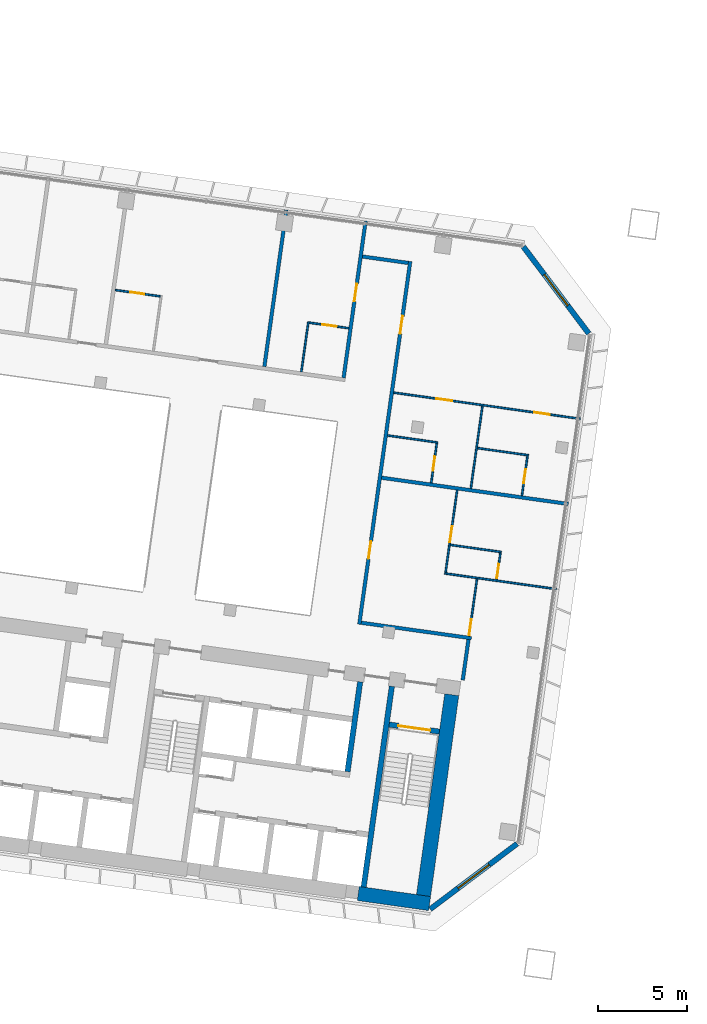
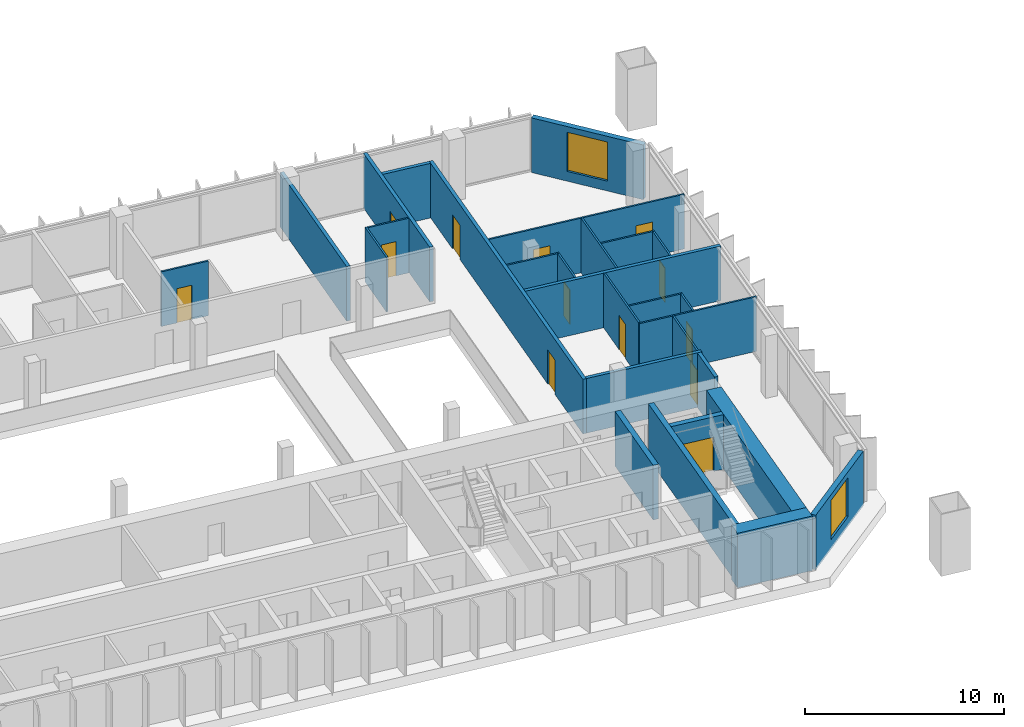
# One storey, part 17 of 26: 28 walls, 13 doors, 2 windows, 15 openings.
"""IFC4 building model written with IfcOpenShell, lengths in metres."""

from ifc_helpers import new_model, si_unit, direction, frame, frame_2d, origin, place, context, subcontext, project, spatial, rectangle, extrude, material, layer, layer_set, type_object, element, fill, save


model = new_model("IFC4")

# Units and contexts
model_context = context("Model", 3, precision=1e-05, world=origin(), true_north=direction((0.0, 1.0)))
body_context = subcontext(model_context, "Body", "Model", "MODEL_VIEW")
ifc_project = project(units=[si_unit("LENGTHUNIT", "METRE"), si_unit("AREAUNIT", "SQUARE_METRE"), si_unit("VOLUMEUNIT", "CUBIC_METRE"), si_unit("PLANEANGLEUNIT", "RADIAN"), si_unit("MASSUNIT", "GRAM", prefix="KILO")], contexts=[model_context])

# Site, building, storey
site_placement = place(None, origin())
site = spatial("IfcSite", under=ifc_project, at=site_placement, CompositionType="ELEMENT")
building_placement = place(site_placement, origin())
building = spatial("IfcBuilding", under=site, at=building_placement, Name="Mirante Cascada Hotel Towers", CompositionType="ELEMENT")
storey_placement = place(building_placement, frame((0.0, 0.0, 113.9)))
storey = spatial("IfcBuildingStorey", under=building, at=storey_placement, Name="L25", CompositionType="ELEMENT", Elevation=113.9)

# Walls
ifc_material_1 = material(Name="Fire-rated plasterboard on metal studs")
ifc_layer_1 = layer(ifc_material_1, 0.2)
ifc_layer_set_1 = layer_set([ifc_layer_1], Name="Compartment wall 200 EI 120")
wall_type_1 = type_object("IfcWallType", Name="Compartment wall 200 EI 120", PredefinedType="PARTITIONING", material=ifc_layer_set_1)
wall_1_placement = place(storey_placement, frame((-34.7809, -4.7615, 0.0), z_axis=(0.0, 0.0, 1.0), x_axis=(-0.9902685, 0.1391698, 0.0)))
element("IfcWall", 1, at=wall_1_placement, inside=storey, type_object=wall_type_1, Name="Wall 1-L25-02", PredefinedType="PARTITIONING", context=body_context, shape_type="SweptSolid", body=[
    extrude(rectangle(XDim=6.2499, YDim=0.2, at=frame_2d((3.125, 0.0))), origin(), (0.0, 0.0, 1.0), 3.35),
])
wall_2_placement = place(storey_placement, frame((-39.8242, 4.2615, 0.0), z_axis=(0.0, 0.0, 1.0), x_axis=(0.9902686, -0.1391691, 0.0)))
element("IfcWall", 2, at=wall_2_placement, inside=storey, type_object=wall_type_1, Name="Wall 1-L25-09", PredefinedType="PARTITIONING", context=body_context, shape_type="SweptSolid", body=[
    extrude(rectangle(XDim=10.6001, YDim=0.2, at=frame_2d((5.3, 0.0))), origin(), (0.0, 0.0, 1.0), 3.35),
])
wall_3_placement = place(storey_placement, frame((-38.329, 16.3376, 0.0), z_axis=(0.0, 0.0, 1.0), x_axis=(-0.9902647, 0.1391971, 0.0)))
element("IfcWall", 3, at=wall_3_placement, inside=storey, type_object=wall_type_1, Name="Wall 1-L25-24", PredefinedType="PARTITIONING", context=body_context, shape_type="SweptSolid", body=[
    extrude(rectangle(XDim=2.5999, YDim=0.2, at=frame_2d((1.3, 0.0))), origin(), (0.0, 0.0, 1.0), 3.35),
])
wall_4_placement = place(storey_placement, frame((-35.2634, -7.1173, 0.0), z_axis=(0.0, 0.0, 1.0), x_axis=(0.1391749, 0.9902678, 0.0)))
element("IfcWall", 4, at=wall_4_placement, inside=storey, type_object=wall_type_1, Name="Wall 1-L25-28", PredefinedType="PARTITIONING", context=body_context, shape_type="SweptSolid", body=[
    extrude(rectangle(XDim=2.3, YDim=0.2, at=frame_2d((1.15, 0.0))), origin(), (0.0, 0.0, 1.0), 3.35),
])

# Wall, openings, doors
wall_5_placement = place(storey_placement, frame((-38.216, 16.4227, 0.0), z_axis=(0.0, 0.0, 1.0), x_axis=(-0.1391749, -0.9902678, 0.0)))
wall_5 = element("IfcWall", 5, at=wall_5_placement, inside=storey, type_object=wall_type_1, Name="Wall 1-L25-33", PredefinedType="PARTITIONING", context=body_context, shape_type="SweptSolid", body=[
    extrude(rectangle(XDim=20.6, YDim=0.2, at=frame_2d((10.3, 0.0))), origin(), (0.0, 0.0, 1.0), 3.35),
])
opening_1_placement = place(wall_5_placement, frame((15.8834, 0.0, 0.0)))
opening_1 = element("IfcOpeningElement", 6, at=opening_1_placement, cuts=wall_5, Name="Opening D1-L25-26", PredefinedType="OPENING", context=body_context, shape_type="SweptSolid", body=[
    extrude(rectangle(XDim=1.0, YDim=2.1, at=frame_2d((0.5, 1.05))), frame((0.0, 0.1, 0.0), z_axis=(0.0, -1.0, 0.0), x_axis=(1.0, 0.0, 0.0)), (0.0, 0.0, 1.0), 0.2),
])
opening_2_placement = place(wall_5_placement, frame((3.1, 0.0, 0.0)))
opening_2 = element("IfcOpeningElement", 7, at=opening_2_placement, cuts=wall_5, Name="Opening D1-L25-27", PredefinedType="OPENING", context=body_context, shape_type="SweptSolid", body=[
    extrude(rectangle(XDim=1.0, YDim=2.1, at=frame_2d((0.5, 1.05))), frame((0.0, 0.1, 0.0), z_axis=(0.0, -1.0, 0.0), x_axis=(1.0, 0.0, 0.0)), (0.0, 0.0, 1.0), 0.2),
])
ifc_material_2 = material(Name="Fire-rated timber door leaf", Category="wood")
door_type_1 = type_object("IfcDoorType", Name="Entrance door DG1 1000x2100 EI 60", OperationType="SINGLE_SWING_LEFT", PredefinedType="DOOR", material=ifc_material_2)
door_1_placement = place(opening_1_placement, origin())
door_1 = element("IfcDoor", 8, at=door_1_placement, inside=storey, type_object=door_type_1, Name="Door D1-L25-26", OperationType="SINGLE_SWING_LEFT", OverallHeight=2.1, OverallWidth=1.0, PredefinedType="DOOR", context=body_context, shape_type="SweptSolid", body=[
    extrude(rectangle(XDim=1.0, YDim=2.1, at=frame_2d((0.5, 1.05))), frame((0.0, 0.025, 0.0), z_axis=(0.0, -1.0, 0.0), x_axis=(1.0, 0.0, 0.0)), (0.0, 0.0, 1.0), 0.05),
])
fill(opening_1, door_1)
door_2_placement = place(opening_2_placement, origin())
door_2 = element("IfcDoor", 9, at=door_2_placement, inside=storey, type_object=door_type_1, Name="Door D1-L25-27", OperationType="SINGLE_SWING_LEFT", OverallHeight=2.1, OverallWidth=1.0, PredefinedType="DOOR", context=body_context, shape_type="SweptSolid", body=[
    extrude(rectangle(XDim=1.0, YDim=2.1, at=frame_2d((0.5, 1.05))), frame((0.0, 0.025, 0.0), z_axis=(0.0, -1.0, 0.0), x_axis=(1.0, 0.0, 0.0)), (0.0, 0.0, 1.0), 0.05),
])
fill(opening_2, door_2)

# Wall, opening, door
wall_6_placement = place(storey_placement, frame((-41.963, 9.8805, 0.0), z_axis=(0.0, 0.0, 1.0), x_axis=(0.1391794, 0.9902672, 0.0)))
wall_6 = element("IfcWall", 10, at=wall_6_placement, inside=storey, type_object=wall_type_1, Name="Wall 1-L25-34", PredefinedType="PARTITIONING", context=body_context, shape_type="SweptSolid", body=[
    extrude(rectangle(XDim=8.9, YDim=0.2, at=frame_2d((4.45, 0.0))), origin(), (0.0, 0.0, 1.0), 3.35),
])
opening_3_placement = place(wall_6_placement, frame((4.35, 0.0, 0.0)))
opening_3 = element("IfcOpeningElement", 11, at=opening_3_placement, cuts=wall_6, Name="Opening D1-L25-28", PredefinedType="OPENING", context=body_context, shape_type="SweptSolid", body=[
    extrude(rectangle(XDim=1.0, YDim=2.1, at=frame_2d((0.5, 1.05))), frame((0.0, 0.1, 0.0), z_axis=(0.0, -1.0, 0.0), x_axis=(1.0, 0.0, 0.0)), (0.0, 0.0, 1.0), 0.2),
])
door_3_placement = place(opening_3_placement, origin())
door_3 = element("IfcDoor", 12, at=door_3_placement, inside=storey, type_object=door_type_1, Name="Door D1-L25-28", OperationType="SINGLE_SWING_LEFT", OverallHeight=2.1, OverallWidth=1.0, PredefinedType="DOOR", context=body_context, shape_type="SweptSolid", body=[
    extrude(rectangle(XDim=1.0, YDim=2.1, at=frame_2d((0.5, 1.05))), frame((0.0, 0.025, 0.0), z_axis=(0.0, -1.0, 0.0), x_axis=(1.0, 0.0, 0.0)), (0.0, 0.0, 1.0), 0.05),
])
fill(opening_3, door_3)

# Walls
wall_7_placement = place(storey_placement, frame((-46.4192, 10.5068, 0.0), z_axis=(0.0, 0.0, 1.0), x_axis=(0.1391794, 0.9902672, 0.0)))
element("IfcWall", 13, at=wall_7_placement, inside=storey, type_object=wall_type_1, Name="Wall 1-L25-36", PredefinedType="PARTITIONING", context=body_context, shape_type="SweptSolid", body=[
    extrude(rectangle(XDim=8.9, YDim=0.2, at=frame_2d((4.45, 0.0))), origin(), (0.0, 0.0, 1.0), 3.35),
])
ifc_material_3 = material(Name="Plasterboard on metal studs")
ifc_layer_2 = layer(ifc_material_3, 0.1)
ifc_layer_set_2 = layer_set([ifc_layer_2], Name="Partition 100")
wall_type_2 = type_object("IfcWallType", Name="Partition 100", PredefinedType="PARTITIONING", material=ifc_layer_set_2)
wall_8_placement = place(storey_placement, frame((-36.2882, -1.1163, 0.0), z_axis=(0.0, 0.0, 1.0), x_axis=(0.9902691, -0.1391656, 0.0)))
element("IfcWall", 14, at=wall_8_placement, inside=storey, type_object=wall_type_2, Name="Wall 1-L25-05", PredefinedType="PARTITIONING", context=body_context, shape_type="SweptSolid", body=[
    extrude(rectangle(XDim=6.35, YDim=0.1, at=frame_2d((3.175, 0.0))), origin(), (0.0, 0.0, 1.0), 3.35),
])
for number, where, z_axis, x_axis, name in (
    (15, (-35.9619, 0.4872, 0.0), (0.0, 0.0, 1.0), (0.9902683, -0.1391714, 0.0), "Wall 1-L25-07"),
    (16, (-34.4398, 5.9284, 0.0), (0.0, 0.0, 1.0), (0.9902683, -0.1391714, 0.0), "Wall 1-L25-11"),
):
    element("IfcWall", number, at=place(storey_placement, frame(where, z_axis=z_axis, x_axis=x_axis)), inside=storey, type_object=wall_type_2, Name=name, PredefinedType="PARTITIONING", context=body_context, shape_type="SweptSolid", body=[
        extrude(rectangle(XDim=2.9, YDim=0.1, at=frame_2d((1.45, 0.0))), origin(), (0.0, 0.0, 1.0), 3.35),
    ])
wall_9_placement = place(storey_placement, frame((-36.6679, 6.2415, 0.0), z_axis=(0.0, 0.0, 1.0), x_axis=(-0.9902704, 0.1391564, 0.0)))
element("IfcWall", 17, at=wall_9_placement, inside=storey, type_object=wall_type_2, Name="Wall 1-L25-12", PredefinedType="PARTITIONING", context=body_context, shape_type="SweptSolid", body=[
    extrude(rectangle(XDim=2.85, YDim=0.1, at=frame_2d((1.425, 0.0))), origin(), (0.0, 0.0, 1.0), 3.35),
])

# Wall, openings, doors
wall_10_placement = place(storey_placement, frame((-39.1515, 9.0479, 0.0), z_axis=(0.0, 0.0, 1.0), x_axis=(0.9902671, -0.1391797, 0.0)))
wall_10 = element("IfcWall", 18, at=wall_10_placement, inside=storey, type_object=wall_type_2, Name="Wall 1-L25-15", PredefinedType="PARTITIONING", context=body_context, shape_type="SweptSolid", body=[
    extrude(rectangle(XDim=10.6, YDim=0.1, at=frame_2d((5.3, 0.0))), origin(), (0.0, 0.0, 1.0), 3.35),
])
opening_4_placement = place(wall_10_placement, frame((7.975, 0.0, 0.0)))
opening_4 = element("IfcOpeningElement", 19, at=opening_4_placement, cuts=wall_10, Name="Opening D1-L25-03", PredefinedType="OPENING", context=body_context, shape_type="SweptSolid", body=[
    extrude(rectangle(XDim=0.9, YDim=2.1, at=frame_2d((0.45, 1.05))), frame((0.0, 0.05, 0.0), z_axis=(0.0, -1.0, 0.0), x_axis=(1.0, 0.0, 0.0)), (0.0, 0.0, 1.0), 0.1),
])
opening_5_placement = place(wall_10_placement, frame((2.425, 0.0, 0.0)))
opening_5 = element("IfcOpeningElement", 20, at=opening_5_placement, cuts=wall_10, Name="Opening D1-L25-04", PredefinedType="OPENING", context=body_context, shape_type="SweptSolid", body=[
    extrude(rectangle(XDim=0.9, YDim=2.1, at=frame_2d((0.45, 1.05))), frame((0.0, 0.05, 0.0), z_axis=(0.0, -1.0, 0.0), x_axis=(1.0, 0.0, 0.0)), (0.0, 0.0, 1.0), 0.1),
])
ifc_material_4 = material(Name="Timber door leaf", Category="wood")
door_type_2 = type_object("IfcDoorType", Name="Room door DG3 900x2100", OperationType="SINGLE_SWING_LEFT", PredefinedType="DOOR", material=ifc_material_4)
door_4_placement = place(opening_4_placement, origin())
door_4 = element("IfcDoor", 21, at=door_4_placement, inside=storey, type_object=door_type_2, Name="Door D1-L25-03", OperationType="SINGLE_SWING_LEFT", OverallHeight=2.1, OverallWidth=0.9, PredefinedType="DOOR", context=body_context, shape_type="SweptSolid", body=[
    extrude(rectangle(XDim=0.9, YDim=2.1, at=frame_2d((0.45, 1.05))), frame((0.0, 0.025, 0.0), z_axis=(0.0, -1.0, 0.0), x_axis=(1.0, 0.0, 0.0)), (0.0, 0.0, 1.0), 0.05),
])
fill(opening_4, door_4)
door_5_placement = place(opening_5_placement, origin())
door_5 = element("IfcDoor", 22, at=door_5_placement, inside=storey, type_object=door_type_2, Name="Door D1-L25-04", OperationType="SINGLE_SWING_LEFT", OverallHeight=2.1, OverallWidth=0.9, PredefinedType="DOOR", context=body_context, shape_type="SweptSolid", body=[
    extrude(rectangle(XDim=0.9, YDim=2.1, at=frame_2d((0.45, 1.05))), frame((0.0, 0.025, 0.0), z_axis=(0.0, -1.0, 0.0), x_axis=(1.0, 0.0, 0.0)), (0.0, 0.0, 1.0), 0.05),
])
fill(opening_5, door_5)

# Wall, opening, door
wall_11_placement = place(storey_placement, frame((-41.6723, 12.6672, 0.0), z_axis=(0.0, 0.0, 1.0), x_axis=(-0.9902643, 0.1391997, 0.0)))
wall_11 = element("IfcWall", 23, at=wall_11_placement, inside=storey, type_object=wall_type_2, Name="Wall 1-L25-18", PredefinedType="PARTITIONING", context=body_context, shape_type="SweptSolid", body=[
    extrude(rectangle(XDim=2.25, YDim=0.1, at=frame_2d((1.125, 0.0))), origin(), (0.0, 0.0, 1.0), 3.35),
])
opening_6_placement = place(wall_11_placement, frame((0.7, 0.0, 0.0)))
opening_6 = element("IfcOpeningElement", 24, at=opening_6_placement, cuts=wall_11, Name="Opening D1-L25-13", PredefinedType="OPENING", context=body_context, shape_type="SweptSolid", body=[
    extrude(rectangle(XDim=0.8, YDim=2.1, at=frame_2d((0.4, 1.05))), frame((0.0, 0.05, 0.0), z_axis=(0.0, -1.0, 0.0), x_axis=(1.0, 0.0, 0.0)), (0.0, 0.0, 1.0), 0.1),
])
ifc_material_5 = material(Name="Timber door leaf", Category="wood")
door_type_3 = type_object("IfcDoorType", Name="Bathroom door DG4 800x2100", OperationType="SINGLE_SWING_LEFT", PredefinedType="DOOR", material=ifc_material_5)
door_6_placement = place(opening_6_placement, frame((0.8, 0.0, 0.0), z_axis=(0.0, 0.0, 1.0), x_axis=(-1.0, 0.0, 0.0)))
door_6 = element("IfcDoor", 25, at=door_6_placement, inside=storey, type_object=door_type_3, Name="Door D1-L25-13", OperationType="SINGLE_SWING_RIGHT", OverallHeight=2.1, OverallWidth=0.8, PredefinedType="DOOR", context=body_context, shape_type="SweptSolid", body=[
    extrude(rectangle(XDim=0.8, YDim=2.1, at=frame_2d((0.4, 1.05))), frame((0.0, 0.025, 0.0), z_axis=(0.0, -1.0, 0.0), x_axis=(1.0, 0.0, 0.0)), (0.0, 0.0, 1.0), 0.05),
])
fill(opening_6, door_6)

wall_12_placement = place(storey_placement, frame((-52.2759, 14.4604, 0.0), z_axis=(0.0, 0.0, 1.0), x_axis=(-0.9902677, 0.1391755, 0.0)))
wall_12 = element("IfcWall", 26, at=wall_12_placement, inside=storey, type_object=wall_type_2, Name="Wall 1-L25-22", PredefinedType="PARTITIONING", context=body_context, shape_type="SweptSolid", body=[
    extrude(rectangle(XDim=2.55, YDim=0.1, at=frame_2d((1.275, 0.0))), origin(), (0.0, 0.0, 1.0), 3.35),
])
opening_7_placement = place(wall_12_placement, frame((0.9, 0.0, 0.0)))
opening_7 = element("IfcOpeningElement", 27, at=opening_7_placement, cuts=wall_12, Name="Opening D1-L25-19", PredefinedType="OPENING", context=body_context, shape_type="SweptSolid", body=[
    extrude(rectangle(XDim=0.8, YDim=2.1, at=frame_2d((0.4, 1.05))), frame((0.0, 0.05, 0.0), z_axis=(0.0, -1.0, 0.0), x_axis=(1.0, 0.0, 0.0)), (0.0, 0.0, 1.0), 0.1),
])
door_7_placement = place(opening_7_placement, frame((0.8, 0.0, 0.0), z_axis=(0.0, 0.0, 1.0), x_axis=(-1.0, 0.0, 0.0)))
door_7 = element("IfcDoor", 28, at=door_7_placement, inside=storey, type_object=door_type_3, Name="Door D1-L25-19", OperationType="SINGLE_SWING_RIGHT", OverallHeight=2.1, OverallWidth=0.8, PredefinedType="DOOR", context=body_context, shape_type="SweptSolid", body=[
    extrude(rectangle(XDim=0.8, YDim=2.1, at=frame_2d((0.4, 1.05))), frame((0.0, 0.025, 0.0), z_axis=(0.0, -1.0, 0.0), x_axis=(1.0, 0.0, 0.0)), (0.0, 0.0, 1.0), 0.05),
])
fill(opening_7, door_7)

wall_13_placement = place(storey_placement, frame((-31.9376, 3.2541, 0.0), z_axis=(0.0, 0.0, 1.0), x_axis=(0.1391561, 0.9902705, 0.0)))
wall_13 = element("IfcWall", 29, at=wall_13_placement, inside=storey, type_object=wall_type_2, Name="Wall 1-L25-26", PredefinedType="PARTITIONING", context=body_context, shape_type="SweptSolid", body=[
    extrude(rectangle(XDim=2.25, YDim=0.1, at=frame_2d((1.125, 0.0))), origin(), (0.0, 0.0, 1.0), 3.35),
])
opening_8_placement = place(wall_13_placement, frame((0.7, 0.0, 0.0)))
opening_8 = element("IfcOpeningElement", 30, at=opening_8_placement, cuts=wall_13, Name="Opening D1-L25-21", PredefinedType="OPENING", context=body_context, shape_type="SweptSolid", body=[
    extrude(rectangle(XDim=0.8, YDim=2.1, at=frame_2d((0.4, 1.05))), frame((0.0, 0.05, 0.0), z_axis=(0.0, -1.0, 0.0), x_axis=(1.0, 0.0, 0.0)), (0.0, 0.0, 1.0), 0.1),
])
door_8_placement = place(opening_8_placement, origin())
door_8 = element("IfcDoor", 31, at=door_8_placement, inside=storey, type_object=door_type_3, Name="Door D1-L25-21", OperationType="SINGLE_SWING_LEFT", OverallHeight=2.1, OverallWidth=0.8, PredefinedType="DOOR", context=body_context, shape_type="SweptSolid", body=[
    extrude(rectangle(XDim=0.8, YDim=2.1, at=frame_2d((0.4, 1.05))), frame((0.0, 0.025, 0.0), z_axis=(0.0, -1.0, 0.0), x_axis=(1.0, 0.0, 0.0)), (0.0, 0.0, 1.0), 0.05),
])
fill(opening_8, door_8)

wall_14_placement = place(storey_placement, frame((-33.1466, 0.0411, 0.0), z_axis=(0.0, 0.0, 1.0), x_axis=(-0.1391749, -0.9902678, 0.0)))
wall_14 = element("IfcWall", 32, at=wall_14_placement, inside=storey, type_object=wall_type_2, Name="Wall 1-L25-27", PredefinedType="PARTITIONING", context=body_context, shape_type="SweptSolid", body=[
    extrude(rectangle(XDim=1.5333, YDim=0.1, at=frame_2d((0.7667, 0.0))), origin(), (0.0, 0.0, 1.0), 3.35),
])
opening_9_placement = place(wall_14_placement, frame((0.6333, 0.0, 0.0)))
opening_9 = element("IfcOpeningElement", 33, at=opening_9_placement, cuts=wall_14, Name="Opening D1-L25-22", PredefinedType="OPENING", context=body_context, shape_type="SweptSolid", body=[
    extrude(rectangle(XDim=0.8, YDim=2.1, at=frame_2d((0.4, 1.05))), frame((0.0, 0.05, 0.0), z_axis=(0.0, -1.0, 0.0), x_axis=(1.0, 0.0, 0.0)), (0.0, 0.0, 1.0), 0.1),
])
door_9_placement = place(opening_9_placement, origin())
door_9 = element("IfcDoor", 34, at=door_9_placement, inside=storey, type_object=door_type_3, Name="Door D1-L25-22", OperationType="SINGLE_SWING_LEFT", OverallHeight=2.1, OverallWidth=0.8, PredefinedType="DOOR", context=body_context, shape_type="SweptSolid", body=[
    extrude(rectangle(XDim=0.8, YDim=2.1, at=frame_2d((0.4, 1.05))), frame((0.0, 0.025, 0.0), z_axis=(0.0, -1.0, 0.0), x_axis=(1.0, 0.0, 0.0)), (0.0, 0.0, 1.0), 0.05),
])
fill(opening_9, door_9)

wall_15_placement = place(storey_placement, frame((-34.4632, -1.4232, 0.0), z_axis=(0.0, 0.0, 1.0), x_axis=(-0.1391681, -0.9902688, 0.0)))
wall_15 = element("IfcWall", 35, at=wall_15_placement, inside=storey, type_object=wall_type_2, Name="Wall 1-L25-29", PredefinedType="PARTITIONING", context=body_context, shape_type="SweptSolid", body=[
    extrude(rectangle(XDim=3.25, YDim=0.1, at=frame_2d((1.625, 0.0))), origin(), (0.0, 0.0, 1.0), 3.35),
])
opening_10_placement = place(wall_15_placement, frame((2.3, 0.0, 0.0)))
opening_10 = element("IfcOpeningElement", 36, at=opening_10_placement, cuts=wall_15, Name="Opening D1-L25-23", PredefinedType="OPENING", context=body_context, shape_type="SweptSolid", body=[
    extrude(rectangle(XDim=0.9, YDim=2.1, at=frame_2d((0.45, 1.05))), frame((0.0, 0.05, 0.0), z_axis=(0.0, -1.0, 0.0), x_axis=(1.0, 0.0, 0.0)), (0.0, 0.0, 1.0), 0.1),
])
door_10_placement = place(opening_10_placement, origin())
door_10 = element("IfcDoor", 37, at=door_10_placement, inside=storey, type_object=door_type_2, Name="Door D1-L25-23", OperationType="SINGLE_SWING_LEFT", OverallHeight=2.1, OverallWidth=0.9, PredefinedType="DOOR", context=body_context, shape_type="SweptSolid", body=[
    extrude(rectangle(XDim=0.9, YDim=2.1, at=frame_2d((0.45, 1.05))), frame((0.0, 0.025, 0.0), z_axis=(0.0, -1.0, 0.0), x_axis=(1.0, 0.0, 0.0)), (0.0, 0.0, 1.0), 0.05),
])
fill(opening_10, door_10)

# Wall
wall_16_placement = place(storey_placement, frame((-34.8094, 3.6577, 0.0), z_axis=(0.0, 0.0, 1.0), x_axis=(0.139173, 0.9902681, 0.0)))
element("IfcWall", 38, at=wall_16_placement, inside=storey, type_object=wall_type_2, Name="Wall 1-L25-30", PredefinedType="PARTITIONING", context=body_context, shape_type="SweptSolid", body=[
    extrude(rectangle(XDim=4.6834, YDim=0.1, at=frame_2d((2.3417, 0.0))), origin(), (0.0, 0.0, 1.0), 3.35),
])

# Wall, opening, door
wall_17_placement = place(storey_placement, frame((-35.5799, 3.564, 0.0), z_axis=(0.0, 0.0, 1.0), x_axis=(-0.139176, -0.9902677, 0.0)))
wall_17 = element("IfcWall", 39, at=wall_17_placement, inside=storey, type_object=wall_type_2, Name="Wall 1-L25-31", PredefinedType="PARTITIONING", context=body_context, shape_type="SweptSolid", body=[
    extrude(rectangle(XDim=4.6833, YDim=0.1, at=frame_2d((2.3416, 0.0))), origin(), (0.0, 0.0, 1.0), 3.35),
])
opening_11_placement = place(wall_17_placement, frame((2.05, 0.0, 0.0)))
opening_11 = element("IfcOpeningElement", 40, at=opening_11_placement, cuts=wall_17, Name="Opening D1-L25-24", PredefinedType="OPENING", context=body_context, shape_type="SweptSolid", body=[
    extrude(rectangle(XDim=0.9, YDim=2.1, at=frame_2d((0.45, 1.05))), frame((0.0, 0.05, 0.0), z_axis=(0.0, -1.0, 0.0), x_axis=(1.0, 0.0, 0.0)), (0.0, 0.0, 1.0), 0.1),
])
door_11_placement = place(opening_11_placement, frame((0.9, 0.0, 0.0), z_axis=(0.0, 0.0, 1.0), x_axis=(-1.0, 0.0, 0.0)))
door_11 = element("IfcDoor", 41, at=door_11_placement, inside=storey, type_object=door_type_2, Name="Door D1-L25-24", OperationType="SINGLE_SWING_RIGHT", OverallHeight=2.1, OverallWidth=0.9, PredefinedType="DOOR", context=body_context, shape_type="SweptSolid", body=[
    extrude(rectangle(XDim=0.9, YDim=2.1, at=frame_2d((0.45, 1.05))), frame((0.0, 0.025, 0.0), z_axis=(0.0, -1.0, 0.0), x_axis=(1.0, 0.0, 0.0)), (0.0, 0.0, 1.0), 0.05),
])
fill(opening_11, door_11)

wall_18_placement = place(storey_placement, frame((-37.0375, 3.9708, 0.0), z_axis=(0.0, 0.0, 1.0), x_axis=(0.1391561, 0.9902705, 0.0)))
wall_18 = element("IfcWall", 42, at=wall_18_placement, inside=storey, type_object=wall_type_2, Name="Wall 1-L25-32", PredefinedType="PARTITIONING", context=body_context, shape_type="SweptSolid", body=[
    extrude(rectangle(XDim=2.25, YDim=0.1, at=frame_2d((1.125, 0.0))), origin(), (0.0, 0.0, 1.0), 3.35),
])
opening_12_placement = place(wall_18_placement, frame((0.7, 0.0, 0.0)))
opening_12 = element("IfcOpeningElement", 43, at=opening_12_placement, cuts=wall_18, Name="Opening D1-L25-25", PredefinedType="OPENING", context=body_context, shape_type="SweptSolid", body=[
    extrude(rectangle(XDim=0.8, YDim=2.1, at=frame_2d((0.4, 1.05))), frame((0.0, 0.05, 0.0), z_axis=(0.0, -1.0, 0.0), x_axis=(1.0, 0.0, 0.0)), (0.0, 0.0, 1.0), 0.1),
])
door_12_placement = place(opening_12_placement, origin())
door_12 = element("IfcDoor", 44, at=door_12_placement, inside=storey, type_object=door_type_3, Name="Door D1-L25-25", OperationType="SINGLE_SWING_LEFT", OverallHeight=2.1, OverallWidth=0.8, PredefinedType="DOOR", context=body_context, shape_type="SweptSolid", body=[
    extrude(rectangle(XDim=0.8, YDim=2.1, at=frame_2d((0.4, 1.05))), frame((0.0, 0.025, 0.0), z_axis=(0.0, -1.0, 0.0), x_axis=(1.0, 0.0, 0.0)), (0.0, 0.0, 1.0), 0.05),
])
fill(opening_12, door_12)

# Wall
wall_19_placement = place(storey_placement, frame((-43.943, 13.0368, 0.0), z_axis=(0.0, 0.0, 1.0), x_axis=(-0.1391613, -0.9902697, 0.0)))
element("IfcWall", 45, at=wall_19_placement, inside=storey, type_object=wall_type_2, Name="Wall 1-L25-35", PredefinedType="PARTITIONING", context=body_context, shape_type="SweptSolid", body=[
    extrude(rectangle(XDim=2.8499, YDim=0.1, at=frame_2d((1.425, 0.0))), origin(), (0.0, 0.0, 1.0), 3.35),
])

# Wall, opening, window
ifc_material_6 = material(Name="Precast concrete C40/50", Category="concrete")
ifc_layer_3 = layer(ifc_material_6, 0.3)
ifc_layer_set_3 = layer_set([ifc_layer_3], Name="Precast concrete C40/50 cladding wall 300")
wall_type_3 = type_object("IfcWallType", Name="Precast concrete C40/50 cladding wall 300", PredefinedType="STANDARD", material=ifc_layer_set_3)
wall_20_placement = place(storey_placement, frame((-31.857, 17.252, 0.0), z_axis=(0.0, 0.0, 1.0), x_axis=(0.6018141, -0.7986362, 0.0)))
wall_20 = element("IfcWall", 46, at=wall_20_placement, inside=storey, type_object=wall_type_3, Name="Corner cladding wall T1 L25 front inner", PredefinedType="STANDARD", context=body_context, shape_type="SweptSolid", body=[
    extrude(rectangle(XDim=6.1157, YDim=0.3, at=frame_2d((3.0578, 0.0))), origin(), (0.0, 0.0, 1.0), 3.35),
])
opening_13_placement = place(wall_20_placement, frame((1.9578, 0.0, 0.6)))
opening_13 = element("IfcOpeningElement", 47, at=opening_13_placement, cuts=wall_20, Name="Opening W1-25-05", PredefinedType="OPENING", context=body_context, shape_type="SweptSolid", body=[
    extrude(rectangle(XDim=2.2, YDim=2.4, at=frame_2d((1.1, 1.2))), frame((0.0, 0.15, 0.0), z_axis=(0.0, -1.0, 0.0), x_axis=(1.0, 0.0, 0.0)), (0.0, 0.0, 1.0), 0.3),
])
ifc_material_7 = material(Name="Aluminium frame with clear double glazing", Category="aluminium")
window_type = type_object("IfcWindowType", Name="Corner suite window 2200x2400", PartitioningType="DOUBLE_PANEL_VERTICAL", PredefinedType="WINDOW", material=ifc_material_7)
window_1_placement = place(opening_13_placement, origin())
window_1 = element("IfcWindow", 48, at=window_1_placement, inside=storey, type_object=window_type, Name="Window W1-25-05", OverallHeight=2.4, OverallWidth=2.2, PartitioningType="SINGLE_PANEL", PredefinedType="WINDOW", context=body_context, shape_type="SweptSolid", body=[
    extrude(rectangle(XDim=2.2, YDim=2.4, at=frame_2d((1.1, 1.2))), frame((0.0, 0.03, 0.0), z_axis=(0.0, -1.0, 0.0), x_axis=(1.0, 0.0, 0.0)), (0.0, 0.0, 1.0), 0.06),
])
fill(opening_13, window_1)

wall_21_placement = place(storey_placement, frame((-32.2074, -16.3138, 0.0), z_axis=(0.0, 0.0, 1.0), x_axis=(-0.7986362, -0.6018141, 0.0)))
wall_21 = element("IfcWall", 49, at=wall_21_placement, inside=storey, type_object=wall_type_3, Name="Corner cladding wall T1 L25 inner rear", PredefinedType="STANDARD", context=body_context, shape_type="SweptSolid", body=[
    extrude(rectangle(XDim=6.1157, YDim=0.3, at=frame_2d((3.0578, 0.0))), origin(), (0.0, 0.0, 1.0), 3.35),
])
opening_14_placement = place(wall_21_placement, frame((1.9578, 0.0, 0.6)))
opening_14 = element("IfcOpeningElement", 50, at=opening_14_placement, cuts=wall_21, Name="Opening W1-25-06", PredefinedType="OPENING", context=body_context, shape_type="SweptSolid", body=[
    extrude(rectangle(XDim=2.2, YDim=2.4, at=frame_2d((1.1, 1.2))), frame((0.0, 0.15, 0.0), z_axis=(0.0, -1.0, 0.0), x_axis=(1.0, 0.0, 0.0)), (0.0, 0.0, 1.0), 0.3),
])
window_2_placement = place(opening_14_placement, origin())
window_2 = element("IfcWindow", 51, at=window_2_placement, inside=storey, type_object=window_type, Name="Window W1-25-06", OverallHeight=2.4, OverallWidth=2.2, PartitioningType="SINGLE_PANEL", PredefinedType="WINDOW", context=body_context, shape_type="SweptSolid", body=[
    extrude(rectangle(XDim=2.2, YDim=2.4, at=frame_2d((1.1, 1.2))), frame((0.0, 0.03, 0.0), z_axis=(0.0, -1.0, 0.0), x_axis=(1.0, 0.0, 0.0)), (0.0, 0.0, 1.0), 0.06),
])
fill(opening_14, window_2)

# Wall
ifc_material_8 = material(Name="Concrete C50/60", Category="concrete")
ifc_layer_4 = layer(ifc_material_8, 0.3)
ifc_layer_set_4 = layer_set([ifc_layer_4], Name="RC core wall 300 C50/60")
wall_type_4 = type_object("IfcWallType", Name="RC core wall 300 C50/60", PredefinedType="SHEAR", material=ifc_layer_set_4)
wall_22_placement = place(storey_placement, frame((-40.8373, -18.7548, 0.0), z_axis=(0.0, 0.0, 1.0), x_axis=(0.1391749, 0.9902678, 0.0)))
element("IfcWall", 52, at=wall_22_placement, inside=storey, type_object=wall_type_4, Name="Core wall T1:L25:5", PredefinedType="SHEAR", context=body_context, shape_type="SweptSolid", body=[
    extrude(rectangle(XDim=11.4, YDim=0.3, at=frame_2d((5.7, 0.0))), origin(), (0.0, 0.0, 1.0), 3.35),
])

# Wall, opening, door
wall_23_placement = place(storey_placement, frame((-36.5791, -10.0123, 0.0), z_axis=(0.0, 0.0, 1.0), x_axis=(-0.9902704, 0.1391564, 0.0)))
wall_23 = element("IfcWall", 53, at=wall_23_placement, inside=storey, type_object=wall_type_4, Name="Core wall T1:L25:9", PredefinedType="SHEAR", context=body_context, shape_type="SweptSolid", body=[
    extrude(rectangle(XDim=2.85, YDim=0.3, at=frame_2d((1.425, 0.0))), origin(), (0.0, 0.0, 1.0), 3.35),
])
opening_15_placement = place(wall_23_placement, frame((0.525, 0.0, 0.0)))
opening_15 = element("IfcOpeningElement", 54, at=opening_15_placement, cuts=wall_23, Name="Opening D1-25-C13", PredefinedType="OPENING", context=body_context, shape_type="SweptSolid", body=[
    extrude(rectangle(XDim=1.8, YDim=2.1, at=frame_2d((0.9, 1.05))), frame((0.0, 0.15, 0.0), z_axis=(0.0, -1.0, 0.0), x_axis=(1.0, 0.0, 0.0)), (0.0, 0.0, 1.0), 0.3),
])
ifc_material_9 = material(Name="Hollow metal fire door leaf")
door_type_4 = type_object("IfcDoorType", Name="Double fire door 1800x2100 FD60", OperationType="DOUBLE_DOOR_SINGLE_SWING", PredefinedType="DOOR", material=ifc_material_9)
door_13_placement = place(opening_15_placement, origin())
door_13 = element("IfcDoor", 55, at=door_13_placement, inside=storey, type_object=door_type_4, Name="Stair door T1 L25 13", OperationType="DOUBLE_DOOR_SINGLE_SWING", OverallHeight=2.1, OverallWidth=1.8, PredefinedType="DOOR", context=body_context, shape_type="SweptSolid", body=[
    extrude(rectangle(XDim=0.895, YDim=2.1, at=frame_2d((0.4475, 1.05))), frame((0.0, 0.025, 0.0), z_axis=(0.0, -1.0, 0.0), x_axis=(1.0, 0.0, 0.0)), (0.0, 0.0, 1.0), 0.05),
    extrude(rectangle(XDim=0.895, YDim=2.1, at=frame_2d((1.3525, 1.05))), frame((0.0, 0.025, 0.0), z_axis=(0.0, -1.0, 0.0), x_axis=(1.0, 0.0, 0.0)), (0.0, 0.0, 1.0), 0.05),
])
fill(opening_15, door_13)

# Walls
wall_24_placement = place(storey_placement, frame((-41.743, -12.2656, 0.0), z_axis=(0.0, 0.0, 1.0), x_axis=(0.1391755, 0.9902677, 0.0)))
element("IfcWall", 56, at=wall_24_placement, inside=storey, type_object=wall_type_4, Name="Core wall T1:L25:20", PredefinedType="SHEAR", context=body_context, shape_type="SweptSolid", body=[
    extrude(rectangle(XDim=5.1, YDim=0.3, at=frame_2d((2.55, 0.0))), origin(), (0.0, 0.0, 1.0), 3.35),
])
ifc_material_10 = material(Name="Concrete C50/60", Category="concrete")
ifc_layer_5 = layer(ifc_material_10, 0.8)
ifc_layer_set_5 = layer_set([ifc_layer_5], Name="RC core wall 800 C50/60")
wall_type_5 = type_object("IfcWallType", Name="RC core wall 800 C50/60", PredefinedType="SHEAR", material=ifc_layer_set_5)
wall_25_placement = place(storey_placement, frame((-37.1299, -19.6798, 0.0), z_axis=(0.0, 0.0, 1.0), x_axis=(-0.9902665, 0.1391845, 0.0)))
element("IfcWall", 57, at=wall_25_placement, inside=storey, type_object=wall_type_5, Name="Core wall T1:L25:1.1", PredefinedType="SHEAR", context=body_context, shape_type="SweptSolid", body=[
    extrude(rectangle(XDim=4.05, YDim=0.8, at=frame_2d((2.025, 0.0))), origin(), (0.0, 0.0, 1.0), 3.35),
])
wall_26_placement = place(storey_placement, frame((-37.4704, -19.228, 0.0), z_axis=(0.0, 0.0, 1.0), x_axis=(0.1391749, 0.9902678, 0.0)))
element("IfcWall", 58, at=wall_26_placement, inside=storey, type_object=wall_type_5, Name="Core wall T1:L25:3", PredefinedType="SHEAR", context=body_context, shape_type="SweptSolid", body=[
    extrude(rectangle(XDim=11.4, YDim=0.8, at=frame_2d((5.7, 0.0))), origin(), (0.0, 0.0, 1.0), 3.35),
])

save(model, "model.ifc")
